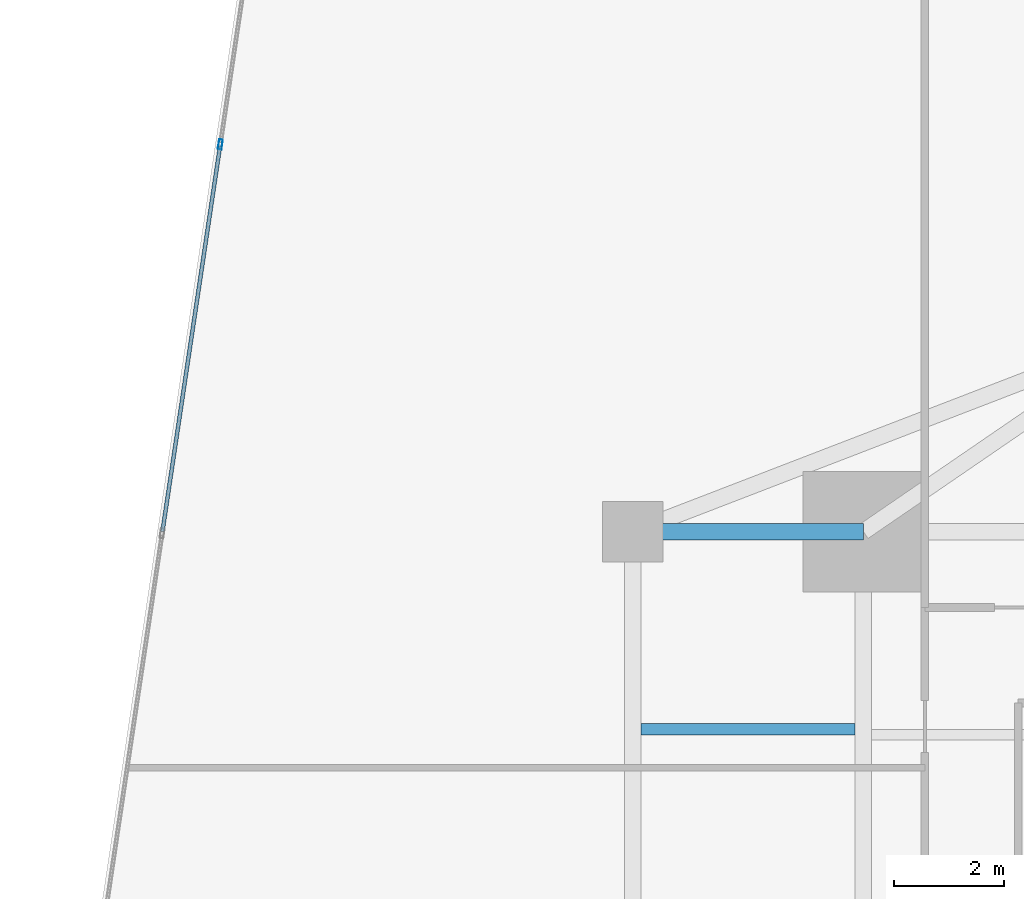
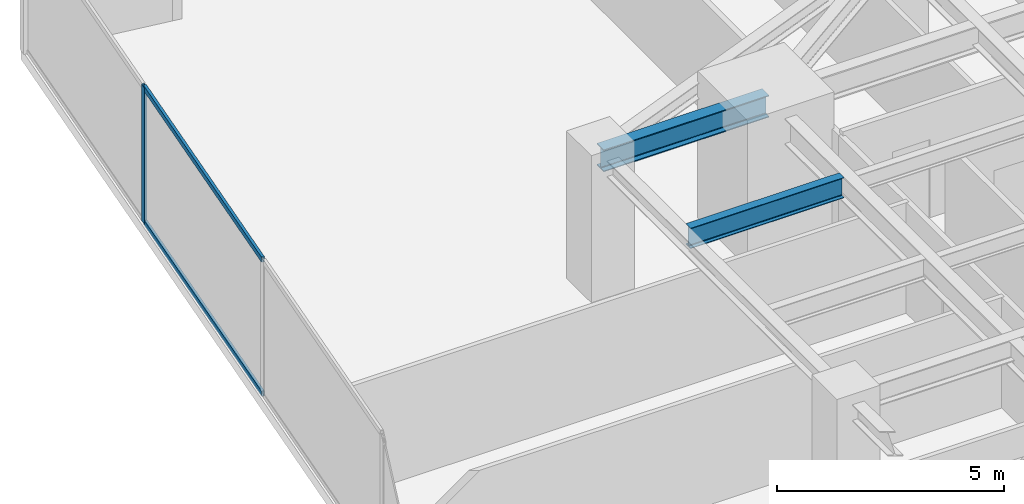
# One storey, part 16 of 29: 3 members, 2 beams, 1 element without a shape of its own.
"""IFC4 building model written with IfcOpenShell, lengths in metres."""

from ifc_helpers import new_model, si_unit, direction, frame, origin, origin_2d, place, context, subcontext, project, spatial, hollow_rectangle, i_section, extrude, source, transform, mapped, material, material_profile, profile_set, type_object, type_shapes, element, aggregate, save


model = new_model("IFC4")

# Units and contexts
model_context = context("Model", 3, precision=1e-05, world=origin(), true_north=direction((0.0, 1.0)))
body_context = subcontext(model_context, "Body", "Model", "MODEL_VIEW")
ifc_project = project(units=[si_unit("LENGTHUNIT", "METRE"), si_unit("AREAUNIT", "SQUARE_METRE"), si_unit("VOLUMEUNIT", "CUBIC_METRE"), si_unit("PLANEANGLEUNIT", "RADIAN"), si_unit("MASSUNIT", "GRAM", prefix="KILO")], contexts=[model_context])

# Site, building, storey
site_placement = place(None, origin())
site = spatial("IfcSite", under=ifc_project, at=site_placement, CompositionType="ELEMENT")
building_placement = place(site_placement, origin())
building = spatial("IfcBuilding", under=site, at=building_placement, Name="Krantzveldt Concourse Tower", CompositionType="ELEMENT")
storey_placement = place(building_placement, frame((0.0, 0.0, 72.39990234375)))
storey = spatial("IfcBuildingStorey", under=building, at=storey_placement, Name="L17", CompositionType="ELEMENT", Elevation=72.39990234375)

# Beams
ifc_material_1 = material(Name="Steel S355JR", Category="steel")
ifc_material_profile_1 = material_profile(ifc_material_1, i_section(OverallWidth=0.300048828125, OverallDepth=0.590087890625, WebThickness=0.012939453125, FlangeThickness=0.02490234375, FilletRadius=0.027099609375, at=origin_2d()), Name="Steel S355JR", Category="steel")
ifc_profile_set_1 = profile_set([ifc_material_profile_1], Name="Steel S355JR - HEA 600")
beam_type_1 = type_object("IfcBeamType", Name="BM-B-HEA600", PredefinedType="BEAM", material=ifc_profile_set_1)
shared_shape_1 = source(origin(), body_context, "Body", "SweptSolid", [
    extrude(i_section(OverallWidth=0.300048828125, OverallDepth=0.590087890625, WebThickness=0.012939453125, FlangeThickness=0.02490234375, FilletRadius=0.027099609375, at=origin_2d()), origin(), (0.0, 0.0, 1.0), 4.199951171875),
])
type_shapes(beam_type_1, [shared_shape_1])
beam_1_placement = place(storey_placement, frame((21.0, 37.5, 3.375), z_axis=(1.0, 0.0, 0.0), x_axis=(0.0, 1.0, 0.0)))
element("IfcBeam", 1, at=beam_1_placement, inside=storey, type_object=beam_type_1, Name="L17 Tower Girder BR-RL3", PredefinedType="BEAM", context=body_context, shape_type="MappedRepresentation", body=[
    mapped(shared_shape_1, transform((0.0, 0.0, 0.0), x_axis=(1.0, 0.0, 0.0), y_axis=(0.0, 1.0, 0.0), z_axis=(0.0, 0.0, 1.0), scale=1.0)),
])
ifc_material_profile_2 = material_profile(ifc_material_1, i_section(OverallWidth=0.2099609375, OverallDepth=0.550048828125, WebThickness=0.010986328125, FlangeThickness=0.01708984375, FilletRadius=0.02392578125, at=origin_2d()), Name="Steel S355JR", Category="steel")
ifc_profile_set_2 = profile_set([ifc_material_profile_2], Name="Steel S355JR - IPE 550")
beam_type_2 = type_object("IfcBeamType", Name="BM-J-IPE550", PredefinedType="JOIST", material=ifc_profile_set_2)
shared_shape_2 = source(origin(), body_context, "Body", "SweptSolid", [
    extrude(i_section(OverallWidth=0.2099609375, OverallDepth=0.550048828125, WebThickness=0.010986328125, FlangeThickness=0.01708984375, FilletRadius=0.02392578125, at=origin_2d()), origin(), (0.0, 0.0, 1.0), 3.900146484375),
])
type_shapes(beam_type_2, [shared_shape_2])
beam_2_placement = place(storey_placement, frame((21.14990234375, 33.89990234375, 3.39501953125), z_axis=(1.0, 0.0, 0.0), x_axis=(0.0, 1.0, 0.0)))
element("IfcBeam", 2, at=beam_2_placement, inside=storey, type_object=beam_type_2, Name="L17 Secondary Floor Joist JW-4", PredefinedType="JOIST", context=body_context, shape_type="MappedRepresentation", body=[
    mapped(shared_shape_2, transform((0.0, 0.0, 0.0), x_axis=(1.0, 0.0, 0.0), y_axis=(0.0, 1.0, 0.0), z_axis=(0.0, 0.0, 1.0), scale=1.0)),
])

# Curtain wall, members
ifc_material_2 = material(Name="Anodised aluminium 6063-T6", Category="aluminium")
curtain_wall_type = type_object("IfcCurtainWallType", Name="CW2", PredefinedType="USERDEFINED", material=ifc_material_2)
curtain_wall_placement = place(storey_placement, origin())
curtain_wall = element("IfcCurtainWall", 3, at=curtain_wall_placement, inside=storey, type_object=curtain_wall_type, Name="CW-L17-F01", ObjectType="UNITISED CURTAIN WALL", PredefinedType="USERDEFINED")
ifc_material_profile_3 = material_profile(ifc_material_2, hollow_rectangle(XDim=0.070068359375, YDim=0.139892578125, WallThickness=0.0048828125, at=origin_2d()), Name="Anodised aluminium 6063-T6", Category="aluminium")
ifc_profile_set_3 = profile_set([ifc_material_profile_3], Name="Anodised aluminium 6063-T6 - ALU-TRAN 140x70x5")
member_type_1 = type_object("IfcMemberType", Name="CW-TRN-150", PredefinedType="USERDEFINED", material=ifc_profile_set_3)
shared_shape_3 = source(origin(), body_context, "Body", "SweptSolid", [
    extrude(hollow_rectangle(XDim=0.070068359375, YDim=0.139892578125, WallThickness=0.0048828125, at=origin_2d()), origin(), (0.0, 0.0, 1.0), 7.0966796875),
])
type_shapes(member_type_1, [shared_shape_3])
member_1_placement = place(storey_placement, frame((13.47705078125, 44.523193359375, 0.03515625), z_axis=(-0.147823987056, -0.989013684865, 0.0), x_axis=(0.989013684865, -0.147823987056, 0.0)))
member_1 = element("IfcMember", 4, at=member_1_placement, type_object=member_type_1, Name="CW-Z12 transom 2.1", ObjectType="TRANSOM", PredefinedType="USERDEFINED", context=body_context, shape_type="MappedRepresentation", body=[
    mapped(shared_shape_3, transform((0.0, 0.0, 0.0), x_axis=(1.0, 0.0, 0.0), y_axis=(0.0, 1.0, 0.0), z_axis=(0.0, 0.0, 1.0), scale=1.0)),
])
member_2_placement = place(storey_placement, frame((13.47705078125, 44.523193359375, 3.635009765625), z_axis=(-0.147823987056, -0.989013684865, 0.0), x_axis=(0.989013684865, -0.147823987056, 0.0)))
member_2 = element("IfcMember", 5, at=member_2_placement, type_object=member_type_1, Name="CW-Z12 transom 2.2", ObjectType="TRANSOM", PredefinedType="USERDEFINED", context=body_context, shape_type="MappedRepresentation", body=[
    mapped(shared_shape_3, transform((0.0, 0.0, 0.0), x_axis=(1.0, 0.0, 0.0), y_axis=(0.0, 1.0, 0.0), z_axis=(0.0, 0.0, 1.0), scale=1.0)),
])
ifc_material_profile_4 = material_profile(ifc_material_2, hollow_rectangle(XDim=0.070068359375, YDim=0.179931640625, WallThickness=0.0048828125, at=origin_2d()), Name="Anodised aluminium 6063-T6", Category="aluminium")
ifc_profile_set_4 = profile_set([ifc_material_profile_4], Name="Anodised aluminium 6063-T6 - ALU-MULL 180x70x5")
member_type_2 = type_object("IfcMemberType", Name="CW-MUL-180", PredefinedType="MULLION", material=ifc_profile_set_4)
shared_shape_4 = source(origin(), body_context, "Body", "SweptSolid", [
    extrude(hollow_rectangle(XDim=0.070068359375, YDim=0.179931640625, WallThickness=0.0048828125, at=origin_2d()), origin(), (0.0, 0.0, 1.0), 3.670166015625),
])
type_shapes(member_type_2, [shared_shape_4])
member_3_placement = place(storey_placement, frame((13.482177734375, 44.557861328125, 0.0), z_axis=(0.0, 0.0, 1.0), x_axis=(0.989015849271, -0.147809505412, 0.0)))
member_3 = element("IfcMember", 6, at=member_3_placement, type_object=member_type_2, Name="CW-Z12 mullion 2", PredefinedType="MULLION", context=body_context, shape_type="MappedRepresentation", body=[
    mapped(shared_shape_4, transform((0.0, 0.0, 0.0), x_axis=(1.0, 0.0, 0.0), y_axis=(0.0, 1.0, 0.0), z_axis=(0.0, 0.0, 1.0), scale=1.0)),
])
aggregate(curtain_wall, [member_3, member_1, member_2])

save(model, "model.ifc")
